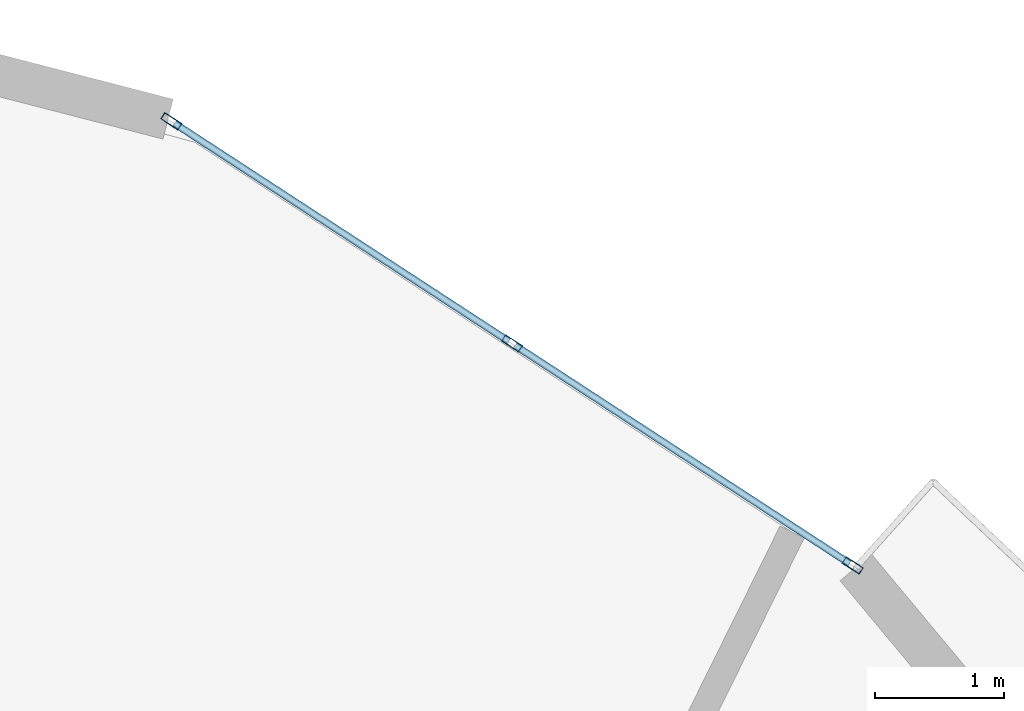
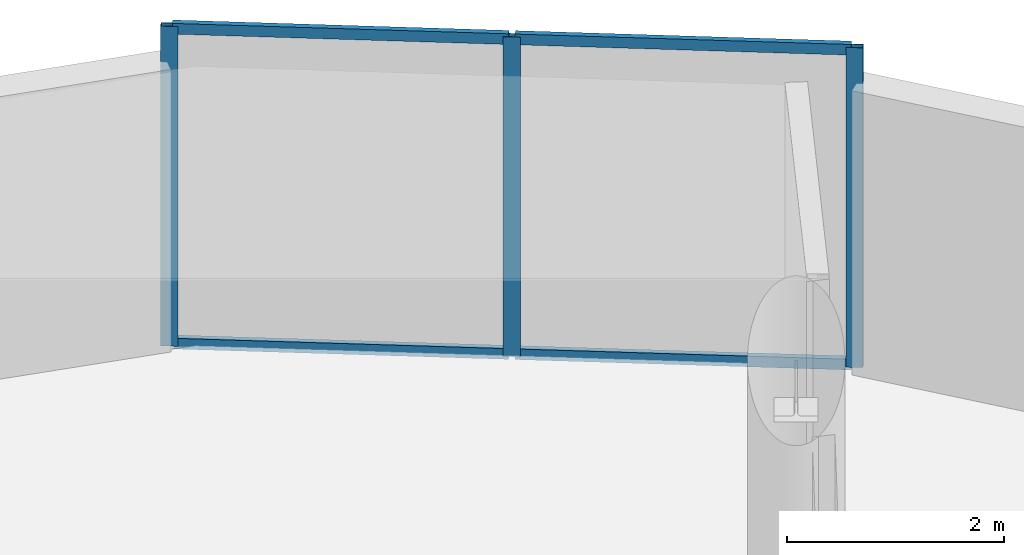
# One storey, part 15 of 22: 7 members, 1 element without a shape of its own.
"""IFC4 building model written with IfcOpenShell, lengths in metres."""

from ifc_helpers import new_model, si_unit, direction, frame, origin, origin_2d, place, context, subcontext, project, spatial, hollow_rectangle, extrude, source, transform, mapped, material, layer, layer_set, material_profile, profile_set, type_object, element, aggregate, save


model = new_model("IFC4")

# Units and contexts
model_context = context("Model", 3, precision=1e-05, world=origin(), true_north=direction((0.0, 1.0)))
body_context = subcontext(model_context, "Body", "Model", "MODEL_VIEW")
ifc_project = project(units=[si_unit("LENGTHUNIT", "METRE"), si_unit("AREAUNIT", "SQUARE_METRE"), si_unit("VOLUMEUNIT", "CUBIC_METRE"), si_unit("PLANEANGLEUNIT", "RADIAN"), si_unit("MASSUNIT", "GRAM", prefix="KILO")], contexts=[model_context])

# Site, building, storey
site_placement = place(None, origin())
site = spatial("IfcSite", under=ifc_project, at=site_placement, CompositionType="ELEMENT")
building_placement = place(site_placement, origin())
building = spatial("IfcBuilding", under=site, at=building_placement, Name="Solvirekh Grand Hotel", CompositionType="ELEMENT")
storey_placement = place(building_placement, frame((0.0, 0.0, 230.800048828125)))
storey = spatial("IfcBuildingStorey", under=building, at=storey_placement, Name="L60", CompositionType="ELEMENT", Elevation=230.800048828125)

# Curtain wall, members
ifc_material = material(Name="Anodized Bronze Aluminium 6063-T6", Category="aluminium")
ifc_layer = layer(ifc_material, 0.159912109375)
ifc_layer_set = layer_set([ifc_layer], Name="Anodized Bronze Aluminium 6063-T6")
curtain_wall_type = type_object("IfcCurtainWallType", Name="CW_Sys4_HighZoneFlushBronzeCW", PredefinedType="NOTDEFINED", material=ifc_layer_set)
curtain_wall_placement = place(storey_placement, origin())
curtain_wall = element("IfcCurtainWall", 1, at=curtain_wall_placement, inside=storey, type_object=curtain_wall_type, Name="L60 unitised bronze-glass curtain wall CW-L60-C08", PredefinedType="NOTDEFINED")
ifc_material_profile_1 = material_profile(ifc_material, hollow_rectangle(XDim=0.054931640625, YDim=0.1201171875, WallThickness=0.00390625, at=origin_2d()), Name="ALU RHS 120X55X4")
ifc_profile_set_1 = profile_set([ifc_material_profile_1], Name="Anodized Bronze Aluminium 6063-T6")
member_type_1 = type_object("IfcMemberType", Name="CWTransom_Sys4", PredefinedType="USERDEFINED", material=ifc_profile_set_1)
shared_shape_1 = source(origin(), body_context, "Body", "SweptSolid", [
    extrude(hollow_rectangle(XDim=0.054931640625, YDim=0.1201171875, WallThickness=0.00390625, at=origin_2d()), origin(), (0.0, 0.0, 1.0), 3.1044921875),
])
member_1_placement = place(storey_placement, frame((10.120849609375, 16.51171875, 0.02734375), z_axis=(-0.837740421261, 0.546068664717, 0.0), x_axis=(-0.546068664717, -0.837740421261, 0.0)))
member_1 = element("IfcMember", 2, at=member_1_placement, type_object=member_type_1, Name="U04 transom 1.1", ObjectType="TRANSOM", PredefinedType="USERDEFINED", context=body_context, shape_type="MappedRepresentation", body=[
    mapped(shared_shape_1, transform((0.0, 0.0, 0.0), x_axis=(1.0, 0.0, 0.0), y_axis=(0.0, 1.0, 0.0), z_axis=(0.0, 0.0, 1.0), scale=1.0)),
])
member_2_placement = place(storey_placement, frame((10.120849609375, 16.51171875, 3.572509765625), z_axis=(-0.837740421261, 0.546068664717, 0.0), x_axis=(-0.546068664717, -0.837740421261, 0.0)))
member_2 = element("IfcMember", 3, at=member_2_placement, type_object=member_type_1, Name="U04 transom 1.2", ObjectType="TRANSOM", PredefinedType="USERDEFINED", context=body_context, shape_type="MappedRepresentation", body=[
    mapped(shared_shape_1, transform((0.0, 0.0, 0.0), x_axis=(1.0, 0.0, 0.0), y_axis=(0.0, 1.0, 0.0), z_axis=(0.0, 0.0, 1.0), scale=1.0)),
])
member_3_placement = place(storey_placement, frame((7.469970703125, 18.239990234375, 0.02734375), z_axis=(-0.837716969526, 0.546104641043, 0.0), x_axis=(-0.546104641043, -0.837716969526, 0.0)))
member_3 = element("IfcMember", 4, at=member_3_placement, type_object=member_type_1, Name="U04 transom 2.1", ObjectType="TRANSOM", PredefinedType="USERDEFINED", context=body_context, shape_type="MappedRepresentation", body=[
    mapped(shared_shape_1, transform((0.0, 0.0, 0.0), x_axis=(1.0, 0.0, 0.0), y_axis=(0.0, 1.0, 0.0), z_axis=(0.0, 0.0, 1.0), scale=1.0)),
])
member_4_placement = place(storey_placement, frame((7.469970703125, 18.239990234375, 3.572509765625), z_axis=(-0.837716969526, 0.546104641043, 0.0), x_axis=(-0.546104641043, -0.837716969526, 0.0)))
member_4 = element("IfcMember", 5, at=member_4_placement, type_object=member_type_1, Name="U04 transom 2.2", ObjectType="TRANSOM", PredefinedType="USERDEFINED", context=body_context, shape_type="MappedRepresentation", body=[
    mapped(shared_shape_1, transform((0.0, 0.0, 0.0), x_axis=(1.0, 0.0, 0.0), y_axis=(0.0, 1.0, 0.0), z_axis=(0.0, 0.0, 1.0), scale=1.0)),
])
ifc_material_profile_2 = material_profile(ifc_material, hollow_rectangle(XDim=0.06005859375, YDim=0.159912109375, WallThickness=0.0048828125, at=origin_2d()), Name="ALU RHS 160X60X5")
ifc_profile_set_2 = profile_set([ifc_material_profile_2], Name="Anodized Bronze Aluminium 6063-T6")
member_type_2 = type_object("IfcMemberType", Name="CWMullion_Sys4", PredefinedType="MULLION", material=ifc_profile_set_2)
shared_shape_2 = source(origin(), body_context, "Body", "SweptSolid", [
    extrude(hollow_rectangle(XDim=0.06005859375, YDim=0.159912109375, WallThickness=0.0048828125, at=origin_2d()), origin(), (0.0, 0.0, 1.0), 3.599853515625),
])
member_5_placement = place(storey_placement, frame((10.145751953125, 16.495361328125, 0.0), z_axis=(0.0, 0.0, 1.0), x_axis=(-0.546110209514, -0.837713339434, 0.0)))
member_5 = element("IfcMember", 6, at=member_5_placement, type_object=member_type_2, Name="U04 mullion 1", PredefinedType="MULLION", context=body_context, shape_type="MappedRepresentation", body=[
    mapped(shared_shape_2, transform((0.0, 0.0, 0.0), x_axis=(1.0, 0.0, 0.0), y_axis=(0.0, 1.0, 0.0), z_axis=(0.0, 0.0, 1.0), scale=1.0)),
])
member_6_placement = place(storey_placement, frame((7.4951171875, 18.223388671875, 0.0), z_axis=(0.0, 0.0, 1.0), x_axis=(-0.546110209514, -0.837713339434, 0.0)))
member_6 = element("IfcMember", 7, at=member_6_placement, type_object=member_type_2, Name="U04 mullion 2", PredefinedType="MULLION", context=body_context, shape_type="MappedRepresentation", body=[
    mapped(shared_shape_2, transform((0.0, 0.0, 0.0), x_axis=(1.0, 0.0, 0.0), y_axis=(0.0, 1.0, 0.0), z_axis=(0.0, 0.0, 1.0), scale=1.0)),
])
member_7_placement = place(storey_placement, frame((4.84423828125, 19.95166015625, 0.0), z_axis=(0.0, 0.0, 1.0), x_axis=(-0.546110209514, -0.837713339434, 0.0)))
member_7 = element("IfcMember", 8, at=member_7_placement, type_object=member_type_2, Name="U04 mullion 3", PredefinedType="MULLION", context=body_context, shape_type="MappedRepresentation", body=[
    mapped(shared_shape_2, transform((0.0, 0.0, 0.0), x_axis=(1.0, 0.0, 0.0), y_axis=(0.0, 1.0, 0.0), z_axis=(0.0, 0.0, 1.0), scale=1.0)),
])
aggregate(curtain_wall, [member_5, member_6, member_7, member_1, member_2, member_3, member_4])

save(model, "model.ifc")
